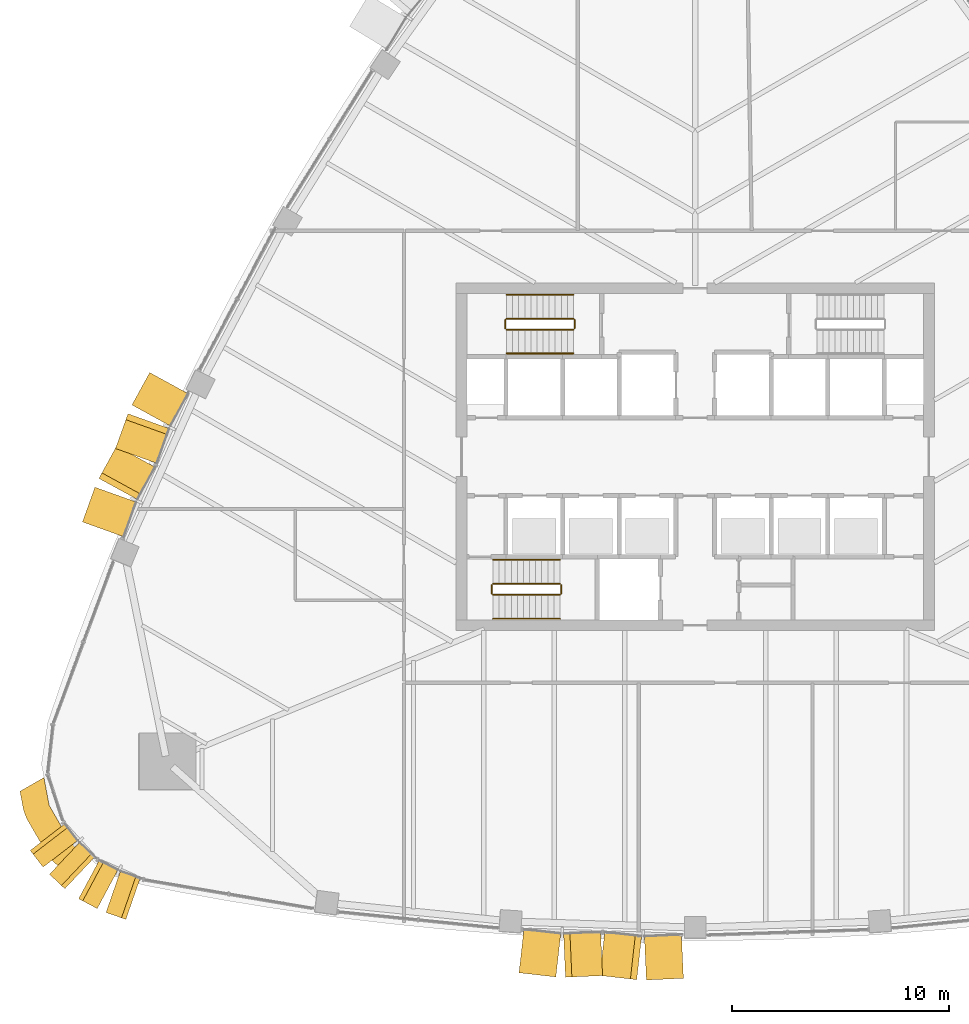
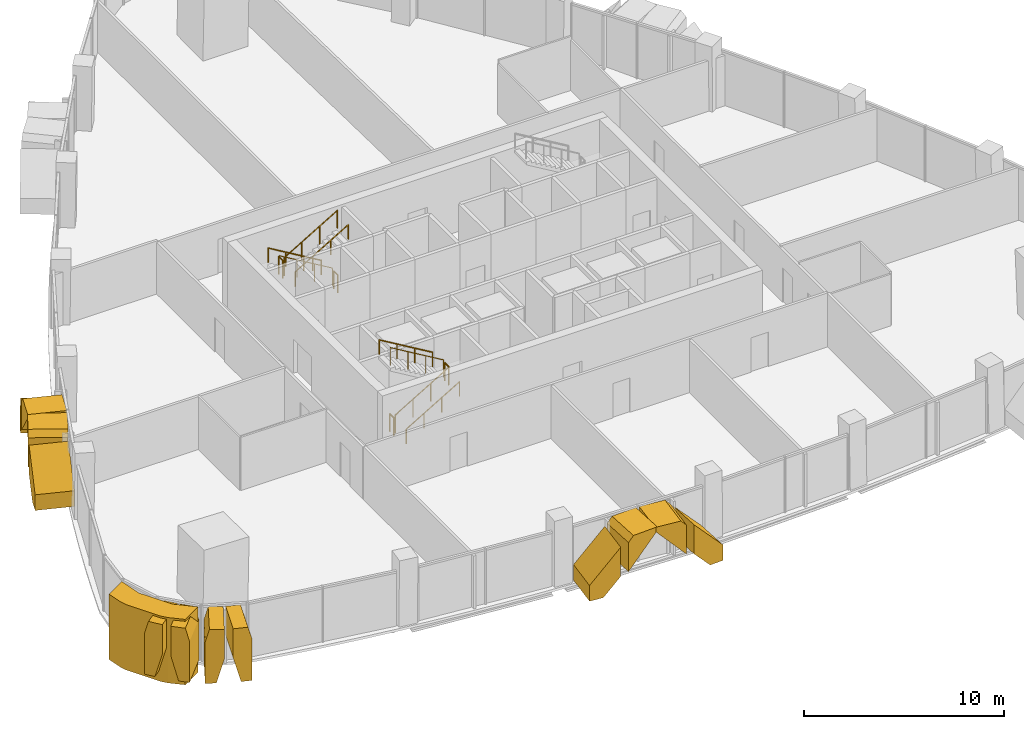
# One storey, part 14 of 17: 13 coverings, 12 railings.
"""IFC4 building model written with IfcOpenShell, lengths in metres."""

from ifc_helpers import new_model, si_unit, direction, frame, origin, origin_2d, place, context, subcontext, project, spatial, polyline, circle, outline, extrude, material, layer, layer_set, type_object, element, save


model = new_model("IFC4")

# Units and contexts
model_context = context("Model", 3, precision=1e-05, world=origin(), true_north=direction((0.0, 1.0)))
body_context = subcontext(model_context, "Body", "Model", "MODEL_VIEW")
ifc_project = project(units=[si_unit("LENGTHUNIT", "METRE"), si_unit("AREAUNIT", "SQUARE_METRE"), si_unit("VOLUMEUNIT", "CUBIC_METRE"), si_unit("PLANEANGLEUNIT", "RADIAN"), si_unit("MASSUNIT", "GRAM", prefix="KILO")], contexts=[model_context])

# Site, building, storey
site_placement = place(None, origin())
site = spatial("IfcSite", under=ifc_project, at=site_placement, CompositionType="ELEMENT")
building_placement = place(site_placement, origin())
building = spatial("IfcBuilding", under=site, at=building_placement, Name="Sierra Prisma Convention Tower", CompositionType="ELEMENT")
storey_placement = place(building_placement, frame((0.0, 0.0, 153.800048828125)))
storey = spatial("IfcBuildingStorey", under=building, at=storey_placement, Name="L33", CompositionType="ELEMENT", Elevation=153.800048828125)

# Coverings
ifc_material_1 = material(Name="Aluminium composite bronze anodised", Category="aluminium")
ifc_layer_1 = layer(ifc_material_1, 1.199951171875)
ifc_layer_set_1 = layer_set([ifc_layer_1], Name="Bronze corner pier")
covering_type_1 = type_object("IfcCoveringType", Name="Bronze corner pier", PredefinedType="CLADDING", material=ifc_layer_set_1)
covering_1_placement = place(storey_placement, frame((0.0, 0.0, -0.60009765625)))
element("IfcCovering", 1, at=covering_1_placement, inside=storey, type_object=covering_type_1, Name="Corner pier SW L33.1", PredefinedType="CLADDING", context=body_context, shape_type="SweptSolid", body=[
    extrude(outline(polyline([(-29.7890625, -18.3203125), (-30.76025390625, -16.637939453125), (-30.900390625, -16.259033203125), (-31.062744140625, -15.393798828125), (-29.961181640625, -14.7578125), (-29.720947265625, -16.037841796875), (-28.749755859375, -17.72021484375), (-27.760986328125, -18.568115234375), (-28.86279296875, -19.204345703125), (-29.531005859375, -18.631103515625), (-29.7890625, -18.3203125)])), origin(), (0.0, 0.0, 1.0), 4.0),
])
ifc_material_2 = material(Name="Aluminium 6063-T6 bronze anodised", Category="aluminium")
ifc_layer_2 = layer(ifc_material_2, 2.0)
ifc_layer_set_2 = layer_set([ifc_layer_2], Name="Bronze crystal chevron frame")
covering_type_2 = type_object("IfcCoveringType", Name="Bronze crystal chevron frame", PredefinedType="CLADDING", material=ifc_layer_set_2)
covering_2_placement = place(storey_placement, frame((-8.104736328125, -23.742919921875, 0.0), z_axis=(-0.111848965175, -0.99372521788, -1.8381261e-05), x_axis=(0.993725218048, -0.111848965193, -1.224e-09)))
element("IfcCovering", 2, at=covering_2_placement, inside=storey, type_object=covering_type_2, Name="CW-2 chevron frame S3.1.1", PredefinedType="CLADDING", context=body_context, shape_type="SweptSolid", body=[
    extrude(outline(polyline([(0.0, 0.0), (0.7535017423696037, 4.235164736271502e-22), (1.7067565857772176, 1.0407714866404807), (1.7067565836020337, 2.8173828144653488), (-1.1678498517293553e-09, 0.9538574217138598), (0.0, 0.0)])), origin(), (0.0, 0.0, -1.0), 2.0),
])
covering_3_placement = place(storey_placement, frame((-5.96533203125, -23.94873046875, 2.959228515625), z_axis=(0.044915377518, -0.998990795174, -4.480138e-06), x_axis=(-2.01227e-07, 4.475617e-06, -0.99999999999)))
element("IfcCovering", 3, at=covering_3_placement, inside=storey, type_object=covering_type_2, Name="CW-2 chevron frame S3.1.2", PredefinedType="CLADDING", context=body_context, shape_type="SweptSolid", body=[
    extrude(outline(polyline([(0.0, 0.0), (1.7766113281071703, 0.0), (-0.08691406250556676, 1.7068005718031982), (-0.32080078125321954, 1.7068005718031982), (-0.3208007812935735, 0.29375301909110674), (0.0, 0.0)])), origin(), (0.0, 0.0, -1.0), 2.0),
])
covering_4_placement = place(storey_placement, frame((-4.38427734375, -23.867919921875, 3.280029296875), z_axis=(-0.111995164144, -0.993708751149, 3.3140669e-05), x_axis=(-3.711595e-06, -3.2932173e-05, -0.999999999451)))
element("IfcCovering", 4, at=covering_4_placement, inside=storey, type_object=covering_type_2, Name="CW-2 chevron frame S3.2.1", PredefinedType="CLADDING", context=body_context, shape_type="SweptSolid", body=[
    extrude(outline(polyline([(0.0, 0.0), (0.23388671862156066, 0.0), (2.097412108575539, 1.7067839139638168), (0.3208007814261684, 1.7067839139638168), (-2.2081379934730155e-09, 1.4131800796271774), (0.0, 0.0)])), origin(), (0.0, 0.0, -1.0), 2.0),
])
covering_5_placement = place(storey_placement, frame((-0.539794921875, -23.997314453125, 0.0), z_axis=(0.044883967408, -0.998992205651, -5.0181608e-05), x_axis=(2.25235e-06, -5.0131036e-05, 0.999999998741)))
element("IfcCovering", 5, at=covering_5_placement, inside=storey, type_object=covering_type_2, Name="CW-2 chevron frame S3.2.2", PredefinedType="CLADDING", context=body_context, shape_type="SweptSolid", body=[
    extrude(outline(polyline([(0.0, 0.0), (0.9538574206740011, 0.0), (2.8173828115735065, 1.7068005710047292), (1.0407714856854324, 1.7068005710047292), (-6.875849508000013e-09, 0.7536830941447858), (0.0, 0.0)])), origin(), (0.0, 0.0, -1.0), 2.0),
])
covering_6_placement = place(storey_placement, frame((-25.095947265625, 3.872314453125, 0.0), z_axis=(-0.876992198604, 0.480504612329, -3.3450056e-05), x_axis=(-0.480504612597, -0.876992199094, -4.072e-09)))
element("IfcCovering", 6, at=covering_6_placement, inside=storey, type_object=covering_type_2, Name="CW-2 chevron frame NW5.1.1", PredefinedType="CLADDING", context=body_context, shape_type="SweptSolid", body=[
    extrude(outline(polyline([(0.0, 0.0), (0.7521434933099401, -1.6940658945086007e-21), (1.6989967769244354, 1.038330085623728), (1.6989967696736805, 2.819091803377475), (-3.893776555275489e-09, 0.9562988275899956), (0.0, 0.0)])), origin(), (0.0, 0.0, -1.0), 2.0),
])
covering_7_placement = place(storey_placement, frame((-26.09423828125, 1.97802734375, 2.961669921875), z_axis=(-0.941343733903, 0.337449217611, 1.3257783e-05), x_axis=(-1.2480131e-05, 4.473829e-06, -0.999999999912)))
element("IfcCovering", 7, at=covering_7_placement, inside=storey, type_object=covering_type_2, Name="CW-2 chevron frame NW5.1.2", PredefinedType="CLADDING", context=body_context, shape_type="SweptSolid", body=[
    extrude(outline(polyline([(0.0, 0.0), (1.7810058592184774, 0.0), (-0.0820312500487484, 1.6987627491760486), (-0.31835937502797884, 1.6987627491760486), (-0.31835937538256326, 0.290205267237218), (0.0, 0.0)])), origin(), (0.0, 0.0, -1.0), 2.0),
])
covering_8_placement = place(storey_placement, frame((-26.61669921875, 0.4921875, 3.280029296875), z_axis=(-0.876986700753, 0.480514645348, 4.8041991e-05), x_axis=(-4.2132188e-05, 2.3084881e-05, -0.999999998846)))
element("IfcCovering", 8, at=covering_8_placement, inside=storey, type_object=covering_type_2, Name="CW-2 chevron frame NW5.2.1", PredefinedType="CLADDING", context=body_context, shape_type="SweptSolid", body=[
    extrude(outline(polyline([(0.0, 0.0), (0.23632812472727346, 0.0), (2.0993652326870818, 1.698996781438389), (0.31835937536739195, 1.698996781438389), (-4.656073300421767e-09, 1.4085789329526839), (0.0, 0.0)])), origin(), (0.0, 0.0, -1.0), 2.0),
])
covering_9_placement = place(storey_placement, frame((-28.188232421875, -3.001220703125, 0.0), z_axis=(-0.941347746305, 0.337438024368, 1.5388835e-05), x_axis=(1.4486245e-05, -5.192778e-06, 0.999999999882)))
element("IfcCovering", 9, at=covering_9_placement, inside=storey, type_object=covering_type_2, Name="CW-2 chevron frame NW5.2.2", PredefinedType="CLADDING", context=body_context, shape_type="SweptSolid", body=[
    extrude(outline(polyline([(0.0, 0.0), (0.9562988280117665, 0.0), (2.8190917967870903, 1.6987627491061437), (1.038330078247947, 1.6987627491061437), (-6.481804081054616e-10, 0.7518469785697407), (0.0, 0.0)])), origin(), (0.0, 0.0, -1.0), 2.0),
])
covering_10_placement = place(storey_placement, frame((-30.591064453125, -18.115234375, 0.0), z_axis=(-0.792169920183, -0.610300594771, 3.9737356e-05), x_axis=(0.610300595253, -0.792169920808, -3.271e-09)))
element("IfcCovering", 10, at=covering_10_placement, inside=storey, type_object=covering_type_2, Name="CW-2 chevron frame SW3.1.1", PredefinedType="CLADDING", context=body_context, shape_type="SweptSolid", body=[
    extrude(outline(polyline([(0.0, 0.0), (0.5621069999719901, 0.0), (0.9668294825266199, 1.4831543004359538), (0.9668294766482783, 3.280029299017269), (0.21339894021314196, 3.2800293016845194), (-8.172971403591386e-09, 2.4982910136525276), (0.0, 0.0)])), origin(), (0.0, 0.0, -1.0), 2.0),
])
covering_11_placement = place(storey_placement, frame((-29.70361328125, -19.210205078125, 3.280029296875), z_axis=(-0.686872851915, -0.726777603743, 4.49036e-07), x_axis=(-3.08431e-07, -3.26349e-07, -1.0)))
element("IfcCovering", 11, at=covering_11_placement, inside=storey, type_object=covering_type_2, Name="CW-2 chevron frame SW3.1.2", PredefinedType="CLADDING", context=body_context, shape_type="SweptSolid", body=[
    extrude(outline(polyline([(0.0, 0.0), (1.7968749999998188, 4.756288522179909e-23), (3.280029296887595, 0.4048132790139849), (3.280029296876315, 0.9667871339796469), (0.7817382812515672, 0.9667871339796469), (1.2356500202212436e-11, 0.753499172669664), (0.0, 0.0)])), origin(), (0.0, 0.0, -1.0), 2.0),
])
covering_12_placement = place(storey_placement, frame((-28.363525390625, -20.33349609375, 0.0), z_axis=(-0.472006296315, -0.881595177072, -1.464764e-06), x_axis=(0.881595177073, -0.472006296316, 3.77e-10)))
element("IfcCovering", 12, at=covering_12_placement, inside=storey, type_object=covering_type_2, Name="CW-2 chevron frame SW4.1.1", PredefinedType="CLADDING", context=body_context, shape_type="SweptSolid", body=[
    extrude(outline(polyline([(0.0, 0.0), (0.5619695943301364, 0.0), (0.966755013005113, 1.4831542964825273), (0.9667550136833803, 3.2800292964805995), (0.2133219950673567, 3.28002929702482), (9.430311205126998e-10, 2.49829101562232), (0.0, 0.0)])), origin(), (0.0, 0.0, -1.0), 2.0),
])
covering_13_placement = place(storey_placement, frame((-27.105224609375, -20.968017578125, 3.280029296875), z_axis=(-0.32825826433, -0.944588011686, -8.861957e-06), x_axis=(2.90901e-06, 8.370898e-06, -0.999999999961)))
element("IfcCovering", 13, at=covering_13_placement, inside=storey, type_object=covering_type_2, Name="CW-2 chevron frame SW4.1.2", PredefinedType="CLADDING", context=body_context, shape_type="SweptSolid", body=[
    extrude(outline(polyline([(0.0, 0.0), (1.7968749999294418, 0.0), (3.2800292971714806, 0.404735674355608), (3.2800292968538436, 0.9669041737063159), (0.7817382813269442, 0.9669041737063159), (1.1217391069955686e-11, 0.7534178896366107), (0.0, 0.0)])), origin(), (0.0, 0.0, -1.0), 2.0),
])

# Railings
ifc_material_3 = material(Name="Stainless steel", Category="steel")
railing_type_1 = type_object("IfcRailingType", Name="Exit stair handrail", PredefinedType="HANDRAIL", material=ifc_material_3)
railing_1_placement = place(storey_placement, frame((-9.300048828125, -7.449951171875, 0.16650390625)))
element("IfcRailing", 14, at=railing_1_placement, inside=storey, type_object=railing_type_1, Name="L33 S1 stair handrail 1", PredefinedType="HANDRAIL", context=body_context, shape_type="SweptSolid", body=[
    extrude(circle(Radius=0.02392578125, at=origin_2d()), frame((0.0, 0.0, 0.8759765625), z_axis=(0.85927862911, 0.0, 0.511507807912), x_axis=(0.0, 1.0, 0.0)), (0.0, 0.0, 1.0), 3.58447265625),
    extrude(circle(Radius=0.02099609375, at=origin_2d()), origin(), (0.0, 0.0, 1.0), 0.851806640625),
    extrude(circle(Radius=0.02099609375, at=origin_2d()), frame((1.026611328125, 0.0, 0.611083984375)), (0.0, 0.0, 1.0), 0.851806640625),
    extrude(circle(Radius=0.02099609375, at=origin_2d()), frame((2.053466796875, 0.0, 1.222412109375)), (0.0, 0.0, 1.0), 0.851806640625),
    extrude(circle(Radius=0.02099609375, at=origin_2d()), frame((3.080078125, 0.0, 1.83349609375)), (0.0, 0.0, 1.0), 0.851806640625),
])
railing_2_placement = place(storey_placement, frame((-6.219970703125, -4.75, 2.16650390625)))
element("IfcRailing", 15, at=railing_2_placement, inside=storey, type_object=railing_type_1, Name="L33 S1 stair handrail 2", PredefinedType="HANDRAIL", context=body_context, shape_type="SweptSolid", body=[
    extrude(circle(Radius=0.02392578125, at=origin_2d()), frame((0.0, 0.0, 0.8759765625), z_axis=(-0.85927862911, 0.0, 0.511507807912), x_axis=(0.0, -1.0, 0.0)), (0.0, 0.0, 1.0), 3.58447265625),
    extrude(circle(Radius=0.02099609375, at=origin_2d()), origin(), (0.0, 0.0, 1.0), 0.851806640625),
    extrude(circle(Radius=0.02099609375, at=origin_2d()), frame((-1.026611328125, 0.0, 0.611083984375)), (0.0, 0.0, 1.0), 0.851806640625),
    extrude(circle(Radius=0.02099609375, at=origin_2d()), frame((-2.053466796875, 0.0, 1.222412109375)), (0.0, 0.0, 1.0), 0.851806640625),
    extrude(circle(Radius=0.02099609375, at=origin_2d()), frame((-3.080078125, 0.0, 1.83349609375)), (0.0, 0.0, 1.0), 0.851806640625),
])
railing_3_placement = place(storey_placement, frame((-5.60009765625, 7.449951171875, 0.16650390625)))
element("IfcRailing", 16, at=railing_3_placement, inside=storey, type_object=railing_type_1, Name="L33 S3 stair handrail 1", PredefinedType="HANDRAIL", context=body_context, shape_type="SweptSolid", body=[
    extrude(circle(Radius=0.02392578125, at=origin_2d()), frame((0.0, 0.0, 0.8759765625), z_axis=(-0.859260807169, 0.0, 0.511537745687), x_axis=(0.0, -1.0, 0.0)), (0.0, 0.0, 1.0), 3.584228515625),
    extrude(circle(Radius=0.02099609375, at=origin_2d()), origin(), (0.0, 0.0, 1.0), 0.851806640625),
    extrude(circle(Radius=0.02099609375, at=origin_2d()), frame((-1.026611328125, 0.0, 0.611083984375)), (0.0, 0.0, 1.0), 0.851806640625),
    extrude(circle(Radius=0.02099609375, at=origin_2d()), frame((-2.05322265625, 0.0, 1.222412109375)), (0.0, 0.0, 1.0), 0.851806640625),
    extrude(circle(Radius=0.02099609375, at=origin_2d()), frame((-3.079833984375, 0.0, 1.83349609375)), (0.0, 0.0, 1.0), 0.851806640625),
])
railing_4_placement = place(storey_placement, frame((-8.679931640625, 4.75, 2.16650390625)))
element("IfcRailing", 17, at=railing_4_placement, inside=storey, type_object=railing_type_1, Name="L33 S3 stair handrail 2", PredefinedType="HANDRAIL", context=body_context, shape_type="SweptSolid", body=[
    extrude(circle(Radius=0.02392578125, at=origin_2d()), frame((0.0, 0.0, 0.8759765625), z_axis=(0.859260807169, 0.0, 0.511537745687), x_axis=(0.0, 1.0, 0.0)), (0.0, 0.0, 1.0), 3.584228515625),
    extrude(circle(Radius=0.02099609375, at=origin_2d()), origin(), (0.0, 0.0, 1.0), 0.851806640625),
    extrude(circle(Radius=0.02099609375, at=origin_2d()), frame((1.026611328125, 0.0, 0.611083984375)), (0.0, 0.0, 1.0), 0.851806640625),
    extrude(circle(Radius=0.02099609375, at=origin_2d()), frame((2.05322265625, 0.0, 1.222412109375)), (0.0, 0.0, 1.0), 0.851806640625),
    extrude(circle(Radius=0.02099609375, at=origin_2d()), frame((3.079833984375, 0.0, 1.83349609375)), (0.0, 0.0, 1.0), 0.851806640625),
])
ifc_material_4 = material(Name="Stainless steel", Category="steel")
railing_type_2 = type_object("IfcRailingType", Name="Stair guard 1100", PredefinedType="GUARDRAIL", material=ifc_material_4)
railing_5_placement = place(storey_placement, frame((-9.300048828125, -6.35009765625, 0.16650390625)))
element("IfcRailing", 18, at=railing_5_placement, inside=storey, type_object=railing_type_2, Name="L33 S1 stair guard 1", PredefinedType="GUARDRAIL", context=body_context, shape_type="SweptSolid", body=[
    extrude(circle(Radius=0.02392578125, at=origin_2d()), frame((0.0, 0.0, 1.076171875), z_axis=(0.85927862911, 0.0, 0.511507807912), x_axis=(0.0, 1.0, 0.0)), (0.0, 0.0, 1.0), 3.58447265625),
    extrude(circle(Radius=0.02099609375, at=origin_2d()), origin(), (0.0, 0.0, 1.0), 1.052001953125),
    extrude(circle(Radius=0.02099609375, at=origin_2d()), frame((1.026611328125, 0.0, 0.611083984375)), (0.0, 0.0, 1.0), 1.052001953125),
    extrude(circle(Radius=0.02099609375, at=origin_2d()), frame((2.053466796875, 0.0, 1.222412109375)), (0.0, 0.0, 1.0), 1.052001953125),
    extrude(circle(Radius=0.02099609375, at=origin_2d()), frame((3.080078125, 0.0, 1.83349609375)), (0.0, 0.0, 1.0), 1.052001953125),
])
railing_6_placement = place(storey_placement, frame((-6.169921875, -6.300048828125, 2.0)))
element("IfcRailing", 19, at=railing_6_placement, inside=storey, type_object=railing_type_2, Name="L33 S1 stair guard 2", PredefinedType="GUARDRAIL", context=body_context, shape_type="SweptSolid", body=[
    extrude(circle(Radius=0.02392578125, at=origin_2d()), frame((0.0, 0.0, 1.076171875), z_axis=(0.0, 1.0, 0.0), x_axis=(-1.0, 0.0, 0.0)), (0.0, 0.0, 1.0), 0.400146484375),
    extrude(circle(Radius=0.02099609375, at=origin_2d()), origin(), (0.0, 0.0, 1.0), 1.052001953125),
    extrude(circle(Radius=0.02099609375, at=origin_2d()), frame((0.0, 0.400146484375, 0.0)), (0.0, 0.0, 1.0), 1.052001953125),
])
railing_7_placement = place(storey_placement, frame((-6.219970703125, -5.85009765625, 2.16650390625)))
element("IfcRailing", 20, at=railing_7_placement, inside=storey, type_object=railing_type_2, Name="L33 S1 stair guard 3", PredefinedType="GUARDRAIL", context=body_context, shape_type="SweptSolid", body=[
    extrude(circle(Radius=0.02392578125, at=origin_2d()), frame((0.0, 0.0, 1.076171875), z_axis=(-0.85927862911, 0.0, 0.511507807912), x_axis=(0.0, -1.0, 0.0)), (0.0, 0.0, 1.0), 3.58447265625),
    extrude(circle(Radius=0.02099609375, at=origin_2d()), origin(), (0.0, 0.0, 1.0), 1.052001953125),
    extrude(circle(Radius=0.02099609375, at=origin_2d()), frame((-1.026611328125, 0.0, 0.611083984375)), (0.0, 0.0, 1.0), 1.052001953125),
    extrude(circle(Radius=0.02099609375, at=origin_2d()), frame((-2.053466796875, 0.0, 1.222412109375)), (0.0, 0.0, 1.0), 1.052001953125),
    extrude(circle(Radius=0.02099609375, at=origin_2d()), frame((-3.080078125, 0.0, 1.83349609375)), (0.0, 0.0, 1.0), 1.052001953125),
])
railing_8_placement = place(storey_placement, frame((-9.35009765625, -6.300048828125, 0.0)))
element("IfcRailing", 21, at=railing_8_placement, inside=storey, type_object=railing_type_2, Name="L33 S1 stair guard 4", PredefinedType="GUARDRAIL", context=body_context, shape_type="SweptSolid", body=[
    extrude(circle(Radius=0.02392578125, at=origin_2d()), frame((0.0, 0.0, 1.076171875), z_axis=(0.0, 1.0, 0.0), x_axis=(-1.0, 0.0, 0.0)), (0.0, 0.0, 1.0), 0.400146484375),
    extrude(circle(Radius=0.02099609375, at=origin_2d()), origin(), (0.0, 0.0, 1.0), 1.052001953125),
    extrude(circle(Radius=0.02099609375, at=origin_2d()), frame((0.0, 0.400146484375, 0.0)), (0.0, 0.0, 1.0), 1.052001953125),
])
railing_9_placement = place(storey_placement, frame((-5.60009765625, 6.35009765625, 0.16650390625)))
element("IfcRailing", 22, at=railing_9_placement, inside=storey, type_object=railing_type_2, Name="L33 S3 stair guard 1", PredefinedType="GUARDRAIL", context=body_context, shape_type="SweptSolid", body=[
    extrude(circle(Radius=0.02392578125, at=origin_2d()), frame((0.0, 0.0, 1.076171875), z_axis=(-0.859260807169, 0.0, 0.511537745687), x_axis=(0.0, -1.0, 0.0)), (0.0, 0.0, 1.0), 3.584228515625),
    extrude(circle(Radius=0.02099609375, at=origin_2d()), origin(), (0.0, 0.0, 1.0), 1.052001953125),
    extrude(circle(Radius=0.02099609375, at=origin_2d()), frame((-1.026611328125, 0.0, 0.611083984375)), (0.0, 0.0, 1.0), 1.052001953125),
    extrude(circle(Radius=0.02099609375, at=origin_2d()), frame((-2.05322265625, 0.0, 1.222412109375)), (0.0, 0.0, 1.0), 1.052001953125),
    extrude(circle(Radius=0.02099609375, at=origin_2d()), frame((-3.079833984375, 0.0, 1.83349609375)), (0.0, 0.0, 1.0), 1.052001953125),
])
railing_10_placement = place(storey_placement, frame((-8.72998046875, 6.300048828125, 2.0)))
element("IfcRailing", 23, at=railing_10_placement, inside=storey, type_object=railing_type_2, Name="L33 S3 stair guard 2", PredefinedType="GUARDRAIL", context=body_context, shape_type="SweptSolid", body=[
    extrude(circle(Radius=0.02392578125, at=origin_2d()), frame((0.0, 0.0, 1.076171875), z_axis=(0.0, -1.0, 0.0), x_axis=(1.0, 0.0, 0.0)), (0.0, 0.0, 1.0), 0.400146484375),
    extrude(circle(Radius=0.02099609375, at=origin_2d()), origin(), (0.0, 0.0, 1.0), 1.052001953125),
    extrude(circle(Radius=0.02099609375, at=origin_2d()), frame((0.0, -0.400146484375, 0.0)), (0.0, 0.0, 1.0), 1.052001953125),
])
railing_11_placement = place(storey_placement, frame((-8.679931640625, 5.85009765625, 2.16650390625)))
element("IfcRailing", 24, at=railing_11_placement, inside=storey, type_object=railing_type_2, Name="L33 S3 stair guard 3", PredefinedType="GUARDRAIL", context=body_context, shape_type="SweptSolid", body=[
    extrude(circle(Radius=0.02392578125, at=origin_2d()), frame((0.0, 0.0, 1.076171875), z_axis=(0.859260807169, 0.0, 0.511537745687), x_axis=(0.0, 1.0, 0.0)), (0.0, 0.0, 1.0), 3.584228515625),
    extrude(circle(Radius=0.02099609375, at=origin_2d()), origin(), (0.0, 0.0, 1.0), 1.052001953125),
    extrude(circle(Radius=0.02099609375, at=origin_2d()), frame((1.026611328125, 0.0, 0.611083984375)), (0.0, 0.0, 1.0), 1.052001953125),
    extrude(circle(Radius=0.02099609375, at=origin_2d()), frame((2.05322265625, 0.0, 1.222412109375)), (0.0, 0.0, 1.0), 1.052001953125),
    extrude(circle(Radius=0.02099609375, at=origin_2d()), frame((3.079833984375, 0.0, 1.83349609375)), (0.0, 0.0, 1.0), 1.052001953125),
])
railing_12_placement = place(storey_placement, frame((-5.550048828125, 6.300048828125, 0.0)))
element("IfcRailing", 25, at=railing_12_placement, inside=storey, type_object=railing_type_2, Name="L33 S3 stair guard 4", PredefinedType="GUARDRAIL", context=body_context, shape_type="SweptSolid", body=[
    extrude(circle(Radius=0.02392578125, at=origin_2d()), frame((0.0, 0.0, 1.076171875), z_axis=(0.0, -1.0, 0.0), x_axis=(1.0, 0.0, 0.0)), (0.0, 0.0, 1.0), 0.400146484375),
    extrude(circle(Radius=0.02099609375, at=origin_2d()), origin(), (0.0, 0.0, 1.0), 1.052001953125),
    extrude(circle(Radius=0.02099609375, at=origin_2d()), frame((0.0, -0.400146484375, 0.0)), (0.0, 0.0, 1.0), 1.052001953125),
])

save(model, "model.ifc")
